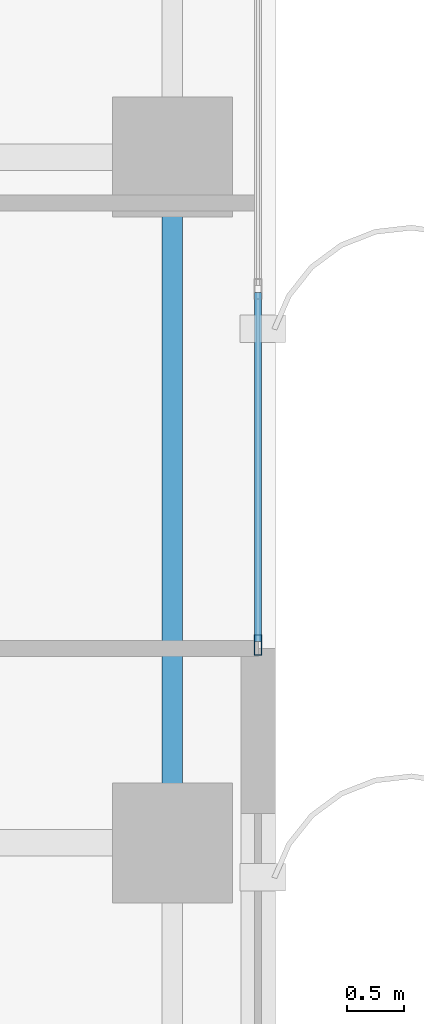
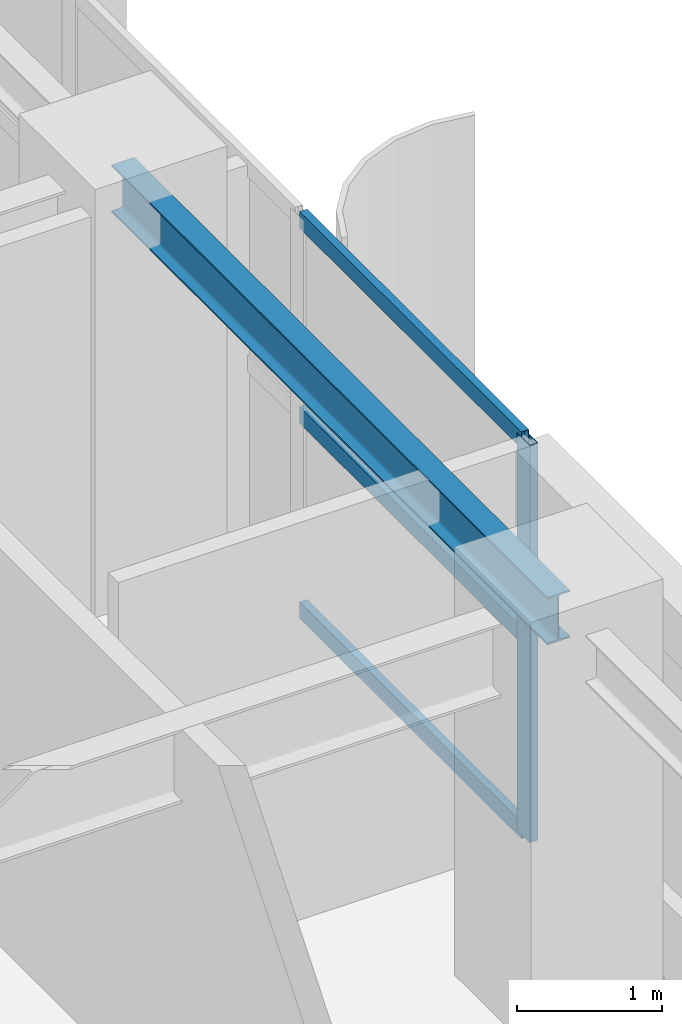
# One storey, part 9 of 27: 4 members, 1 beam, 1 element without a shape of its own.
"""IFC4 building model written with IfcOpenShell, lengths in metres."""

from ifc_helpers import new_model, si_unit, direction, frame, origin, origin_2d, place, context, subcontext, project, spatial, hollow_rectangle, i_section, extrude, source, transform, mapped, material, layer, layer_set, material_profile, profile_set, type_object, element, aggregate, save


model = new_model("IFC4")

# Units and contexts
model_context = context("Model", 3, precision=1e-05, world=origin(), true_north=direction((0.0, 1.0)))
body_context = subcontext(model_context, "Body", "Model", "MODEL_VIEW")
ifc_project = project(units=[si_unit("LENGTHUNIT", "METRE"), si_unit("AREAUNIT", "SQUARE_METRE"), si_unit("VOLUMEUNIT", "CUBIC_METRE"), si_unit("PLANEANGLEUNIT", "RADIAN"), si_unit("MASSUNIT", "GRAM", prefix="KILO")], contexts=[model_context])

# Site, building, storey
site_placement = place(None, origin())
site = spatial("IfcSite", under=ifc_project, at=site_placement, CompositionType="ELEMENT")
building_placement = place(site_placement, origin())
building = spatial("IfcBuilding", under=site, at=building_placement, Name="Khoralis Quay Care Tower", CompositionType="ELEMENT")
storey_placement = place(building_placement, frame((0.0, 0.0, 105.300048828125)))
storey = spatial("IfcBuildingStorey", under=building, at=storey_placement, Name="L27", CompositionType="ELEMENT", Elevation=105.300048828125)

# Beam
ifc_material_1 = material(Name="Steel S355", Category="steel")
ifc_material_profile_1 = material_profile(ifc_material_1, i_section(OverallWidth=0.179931640625, OverallDepth=0.39990234375, WebThickness=0.008544921875, FlangeThickness=0.013427734375, FilletRadius=0.02099609375, at=origin_2d()), Name="Steel S355")
ifc_profile_set_1 = profile_set([ifc_material_profile_1], Name="Steel S355")
beam_type = type_object("IfcBeamType", Name="BM-IPE400", PredefinedType="SPANDREL", material=ifc_profile_set_1)
shared_shape_1 = source(origin(), body_context, "Body", "SweptSolid", [
    extrude(i_section(OverallWidth=0.179931640625, OverallDepth=0.39990234375, WebThickness=0.008544921875, FlangeThickness=0.013427734375, FilletRadius=0.02099609375, at=origin_2d()), origin(), (0.0, 0.0, 1.0), 6.0),
])
beam_placement = place(storey_placement, frame((44.10009765625, 18.0, 3.139892578125), z_axis=(0.0, 1.0, 0.0), x_axis=(-1.0, 0.0, 0.0)))
element("IfcBeam", 1, at=beam_placement, inside=storey, type_object=beam_type, Name="BM-TSP-L27-18", PredefinedType="SPANDREL", context=body_context, shape_type="MappedRepresentation", body=[
    mapped(shared_shape_1, transform((0.0, 0.0, 0.0), scale=1.0)),
])

# Curtain wall, members
ifc_material_2 = material(Name="Pale anodised aluminium", Category="aluminium")
ifc_layer = layer(ifc_material_2, 0.169921875)
ifc_layer_set = layer_set([ifc_layer], Name="Pale anodised aluminium")
curtain_wall_type = type_object("IfcCurtainWallType", Name="CW-SYS-Z2", PredefinedType="NOTDEFINED", material=ifc_layer_set)
curtain_wall_placement = place(storey_placement, origin())
curtain_wall = element("IfcCurtainWall", 2, at=curtain_wall_placement, inside=storey, type_object=curtain_wall_type, Name="L27 Unitised Curtain Wall CW-L27-P1-E5", PredefinedType="NOTDEFINED")
ifc_material_profile_2 = material_profile(ifc_material_2, hollow_rectangle(XDim=0.06005859375, YDim=0.139892578125, WallThickness=0.00390625, at=origin_2d()), Name="Pale anodised aluminium")
ifc_profile_set_2 = profile_set([ifc_material_profile_2], Name="Pale anodised aluminium")
member_type_1 = type_object("IfcMemberType", Name="CW-TRN-140", PredefinedType="USERDEFINED", material=ifc_profile_set_2)
shared_shape_2 = source(origin(), body_context, "Body", "SweptSolid", [
    extrude(hollow_rectangle(XDim=0.06005859375, YDim=0.139892578125, WallThickness=0.00390625, at=origin_2d()), origin(), (0.0, 0.0, 1.0), 3.054931640625),
])
member_1_placement = place(storey_placement, frame((44.85009765625, 19.760009765625, 0.030029296875), z_axis=(0.0, 1.0, 0.0), x_axis=(-1.0, 0.0, 0.0)))
member_1 = element("IfcMember", 3, at=member_1_placement, type_object=member_type_1, Name="CW2 transom 1.1", ObjectType="TRANSOM", PredefinedType="USERDEFINED", context=body_context, shape_type="MappedRepresentation", body=[
    mapped(shared_shape_2, transform((0.0, 0.0, 0.0), scale=1.0)),
])
member_2_placement = place(storey_placement, frame((44.85009765625, 19.760009765625, 1.669921875), z_axis=(0.0, 1.0, 0.0), x_axis=(-1.0, 0.0, 0.0)))
member_2 = element("IfcMember", 4, at=member_2_placement, type_object=member_type_1, Name="CW2 transom 1.2", ObjectType="TRANSOM", PredefinedType="USERDEFINED", context=body_context, shape_type="MappedRepresentation", body=[
    mapped(shared_shape_2, transform((0.0, 0.0, 0.0), scale=1.0)),
])
member_3_placement = place(storey_placement, frame((44.85009765625, 19.760009765625, 3.31005859375), z_axis=(0.0, 1.0, 0.0), x_axis=(-1.0, 0.0, 0.0)))
member_3 = element("IfcMember", 5, at=member_3_placement, type_object=member_type_1, Name="CW2 transom 1.3", ObjectType="TRANSOM", PredefinedType="USERDEFINED", context=body_context, shape_type="MappedRepresentation", body=[
    mapped(shared_shape_2, transform((0.0, 0.0, 0.0), scale=1.0)),
])
ifc_material_profile_3 = material_profile(ifc_material_2, hollow_rectangle(XDim=0.06494140625, YDim=0.179931640625, WallThickness=0.00390625, at=origin_2d()), Name="Pale anodised aluminium")
ifc_profile_set_3 = profile_set([ifc_material_profile_3], Name="Pale anodised aluminium")
member_type_2 = type_object("IfcMemberType", Name="CW-MUL-180", PredefinedType="MULLION", material=ifc_profile_set_3)
shared_shape_3 = source(origin(), body_context, "Body", "SweptSolid", [
    extrude(hollow_rectangle(XDim=0.06494140625, YDim=0.179931640625, WallThickness=0.00390625, at=origin_2d()), origin(), (0.0, 0.0, 1.0), 3.33984375),
])
member_4_placement = place(storey_placement, frame((44.85009765625, 19.72998046875, 0.0), z_axis=(0.0, 0.0, 1.0), x_axis=(-1.0, 0.0, 0.0)))
member_4 = element("IfcMember", 6, at=member_4_placement, type_object=member_type_2, Name="CW2 mullion 1", PredefinedType="MULLION", context=body_context, shape_type="MappedRepresentation", body=[
    mapped(shared_shape_3, transform((0.0, 0.0, 0.0), scale=1.0)),
])
aggregate(curtain_wall, [member_4, member_1, member_2, member_3])

save(model, "model.ifc")
